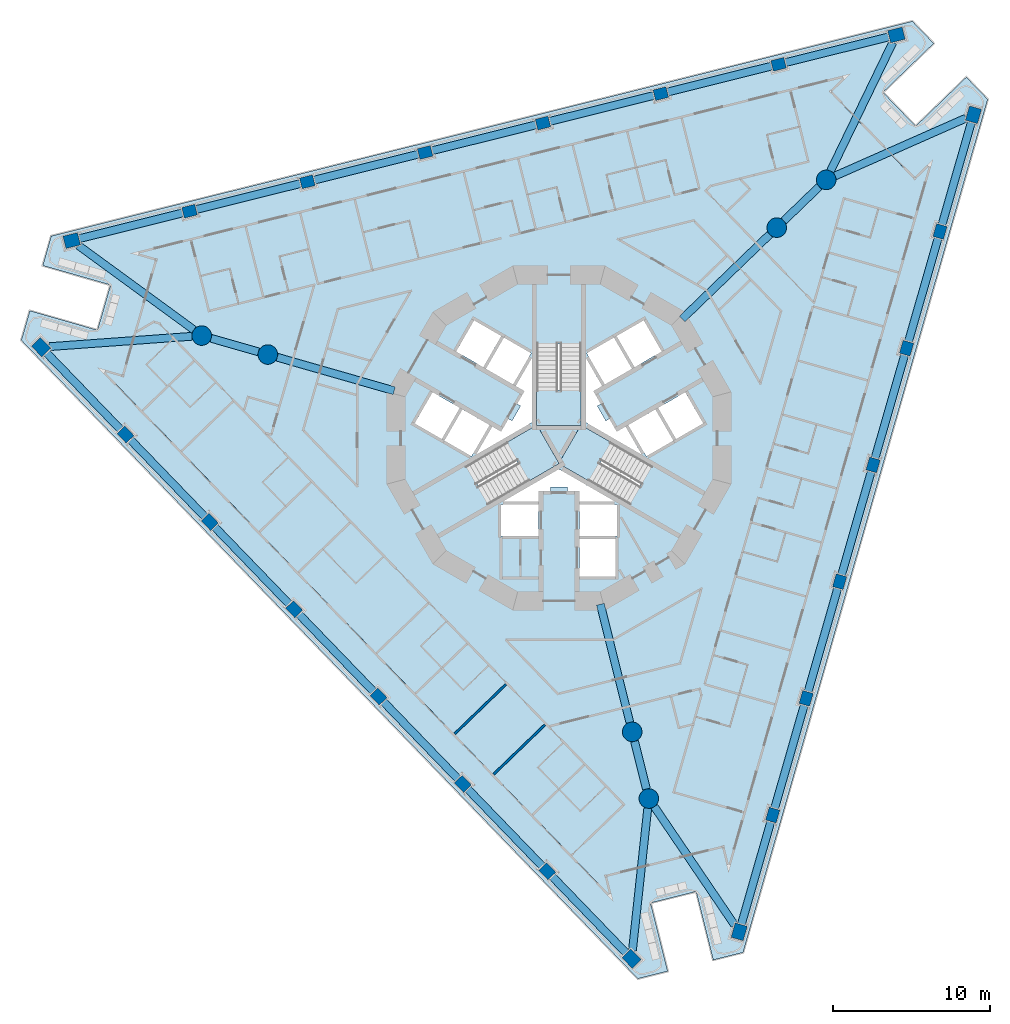
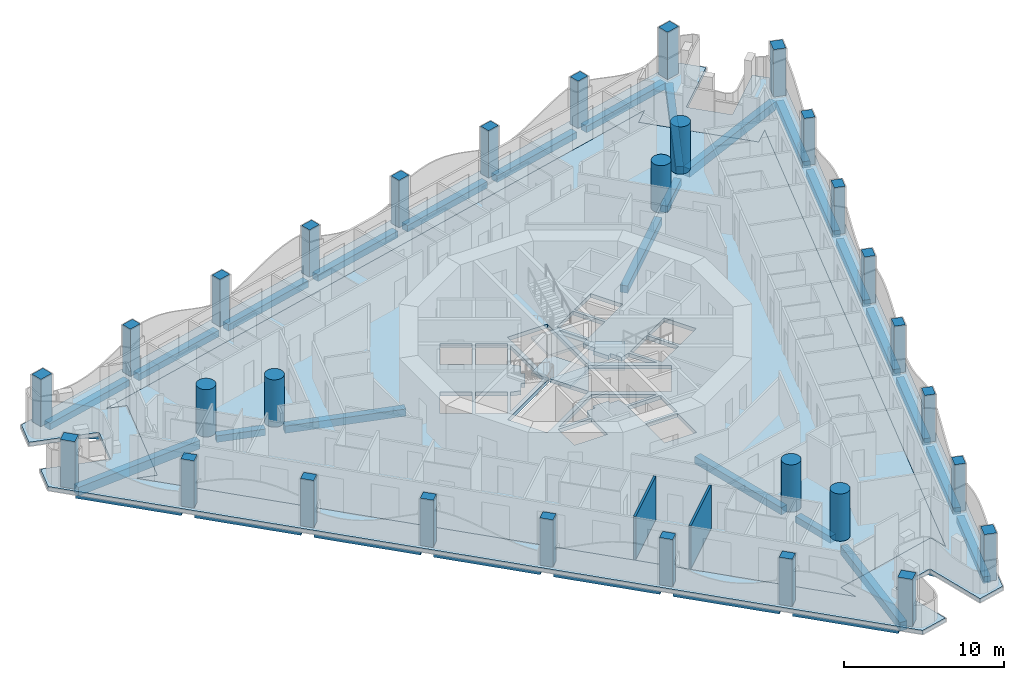
# One storey, part 1 of 20: 33 beams, 30 columns, 6 slabs, 2 walls, 3 elements without a shape of their own.
"""IFC4 building model written with IfcOpenShell, lengths in metres."""

from ifc_helpers import new_model, si_unit, direction, frame, frame_2d, origin, origin_2d, place, context, subcontext, project, spatial, polyline, rectangle, circle, outline, extrude, material, layer, layer_set, material_profile, profile_set, type_object, element, aggregate, save


model = new_model("IFC4")

# Units and contexts
model_context = context("Model", 3, precision=1e-05, world=origin(), true_north=direction((0.0, 1.0)))
body_context = subcontext(model_context, "Body", "Model", "MODEL_VIEW")
ifc_project = project(units=[si_unit("LENGTHUNIT", "METRE"), si_unit("AREAUNIT", "SQUARE_METRE"), si_unit("VOLUMEUNIT", "CUBIC_METRE"), si_unit("PLANEANGLEUNIT", "RADIAN"), si_unit("MASSUNIT", "GRAM", prefix="KILO")], contexts=[model_context])

# Site, building, storey
site_placement = place(None, origin())
site = spatial("IfcSite", under=ifc_project, at=site_placement, CompositionType="ELEMENT")
building_placement = place(site_placement, origin())
building = spatial("IfcBuilding", under=site, at=building_placement, Name="Trine Commons Tower", CompositionType="ELEMENT")
storey_placement = place(building_placement, frame((0.0, 0.0, 101.699951171875)))
storey = spatial("IfcBuildingStorey", under=building, at=storey_placement, Name="L25", CompositionType="ELEMENT", Elevation=101.699951171875)

# Columns
ifc_material_1 = material(Name="Concrete C70/85", Category="concrete")
ifc_material_profile_1 = material_profile(ifc_material_1, rectangle(XDim=0.85009765625, YDim=0.699951171875, at=origin_2d()), Name="RC 850x700")
ifc_profile_set_1 = profile_set([ifc_material_profile_1], Name="Concrete C70/85")
column_type_1 = type_object("IfcColumnType", Name="RC column 850x700, C70/85", PredefinedType="COLUMN", material=ifc_profile_set_1)
for number, where, z_axis, x_axis, name in (
    (1, (79.251708984375, 34.81640625, 0.0), (0.0, 0.0, 1.0), (-0.694658370459, 0.719339800339, 0.0), "Column PC3-02 L25"),
    (2, (73.86279296875, 40.396728515625, 0.0), (0.0, 0.0, 1.0), (-0.694658370459, 0.719339800339, 0.0), "Column PC3-03 L25"),
    (3, (68.473876953125, 45.977294921875, 0.0), (0.0, 0.0, 1.0), (-0.694658370459, 0.719339800339, 0.0), "Column PC3-04 L25"),
    (4, (63.0849609375, 51.5576171875, 0.0), (0.0, 0.0, 1.0), (-0.694658370459, 0.719339800339, 0.0), "Column PC3-05 L25"),
    (5, (57.696044921875, 57.137939453125, 0.0), (0.0, 0.0, 1.0), (-0.694658370459, 0.719339800339, 0.0), "Column PC3-06 L25"),
    (6, (52.30712890625, 62.71826171875, 0.0), (0.0, 0.0, 1.0), (-0.694658370459, 0.719339800339, 0.0), "Column PC3-07 L25"),
    (7, (56.3994140625, 76.98974609375, 0.0), (0.0, 0.0, 1.0), (0.970295726276, 0.2419218956, 0.0), "Column PC3-10 L25"),
    (8, (63.926513671875, 78.86669921875, 0.0), (0.0, 0.0, 1.0), (0.970295726276, 0.2419218956, 0.0), "Column PC3-11 L25"),
    (9, (71.453857421875, 80.743408203125, 0.0), (0.0, 0.0, 1.0), (0.970295726276, 0.2419218956, 0.0), "Column PC3-12 L25"),
    (10, (78.981201171875, 82.6201171875, 0.0), (0.0, 0.0, 1.0), (0.970295726276, 0.2419218956, 0.0), "Column PC3-13 L25"),
    (11, (86.50830078125, 84.496826171875, 0.0), (0.0, 0.0, 1.0), (0.970295726276, 0.2419218956, 0.0), "Column PC3-14 L25"),
    (12, (94.035400390625, 86.37353515625, 0.0), (0.0, 0.0, 1.0), (0.970295726276, 0.2419218956, 0.0), "Column PC3-15 L25"),
    (13, (104.348876953125, 75.69384765625, 0.0), (0.0, 0.0, 1.0), (0.275637355817, 0.961261695938, 0.0), "Column PC3-18 L25"),
    (14, (102.210693359375, 68.23681640625, 0.0), (0.0, 0.0, 1.0), (0.275637355817, 0.961261695938, 0.0), "Column PC3-19 L25"),
    (15, (100.072265625, 60.779541015625, 0.0), (0.0, 0.0, 1.0), (0.275637355817, 0.961261695938, 0.0), "Column PC3-20 L25"),
    (16, (97.93408203125, 53.322509765625, 0.0), (0.0, 0.0, 1.0), (0.275637355817, 0.961261695938, 0.0), "Column PC3-21 L25"),
    (17, (95.795654296875, 45.865234375, 0.0), (0.0, 0.0, 1.0), (0.275637355817, 0.961261695938, 0.0), "Column PC3-22 L25"),
    (18, (93.657470703125, 38.408203125, 0.0), (0.0, 0.0, 1.0), (0.275637355817, 0.961261695938, 0.0), "Column PC3-23 L25"),
):
    element("IfcColumn", number, at=place(storey_placement, frame(where, z_axis=z_axis, x_axis=x_axis)), inside=storey, type_object=column_type_1, Name=name, PredefinedType="COLUMN", context=body_context, shape_type="SweptSolid", body=[
        extrude(rectangle(XDim=0.85009765625, YDim=0.699951171875, at=origin_2d()), origin(), (0.0, 0.0, 1.0), 3.60009765625),
    ])
ifc_material_profile_2 = material_profile(ifc_material_1, rectangle(XDim=0.949951171875, YDim=0.800048828125, at=origin_2d()), Name="RC 950x800")
ifc_profile_set_2 = profile_set([ifc_material_profile_2], Name="Concrete C70/85")
column_type_2 = type_object("IfcColumnType", Name="RC column 950x800, C70/85", PredefinedType="COLUMN", material=ifc_profile_set_2)
for number, where, z_axis, x_axis, name in (
    (19, (84.640625, 29.236083984375, 0.0), (0.0, 0.0, 1.0), (-0.694658370459, 0.719339800339, 0.0), "Column PC3-01 L25"),
    (20, (46.918212890625, 68.298583984375, 0.0), (0.0, 0.0, 1.0), (-0.694658370459, 0.719339800339, 0.0), "Column PC3-08 L25"),
    (21, (48.872314453125, 75.113037109375, 0.0), (0.0, 0.0, 1.0), (0.970295726276, 0.2419218956, 0.0), "Column PC3-09 L25"),
    (22, (101.562744140625, 88.250244140625, 0.0), (0.0, 0.0, 1.0), (0.970295726276, 0.2419218956, 0.0), "Column PC3-16 L25"),
    (23, (106.4873046875, 83.15087890625, 0.0), (0.0, 0.0, 1.0), (0.275637355817, 0.961261695938, 0.0), "Column PC3-17 L25"),
    (24, (91.51904296875, 30.950927734375, 0.0), (0.0, 0.0, 1.0), (0.275637355817, 0.961261695938, 0.0), "Column PC3-24 L25"),
):
    element("IfcColumn", number, at=place(storey_placement, frame(where, z_axis=z_axis, x_axis=x_axis)), inside=storey, type_object=column_type_2, Name=name, PredefinedType="COLUMN", context=body_context, shape_type="SweptSolid", body=[
        extrude(rectangle(XDim=0.949951171875, YDim=0.800048828125, at=origin_2d()), origin(), (0.0, 0.0, 1.0), 3.60009765625),
    ])
ifc_material_profile_3 = material_profile(ifc_material_1, circle(Radius=0.625, at=origin_2d()), Name="RC round 1250")
ifc_profile_set_3 = profile_set([ifc_material_profile_3], Name="Concrete C70/85")
column_type_3 = type_object("IfcColumnType", Name="RC round column 1250 mm, C70/85", PredefinedType="COLUMN", material=ifc_profile_set_3)
for number, where, z_axis, x_axis, name in (
    (25, (84.6806640625, 43.726806640625, 0.0), (0.0, 0.0, 1.0), (1.0, 0.0, 0.0), "Column WC3-1 L25"),
    (26, (85.742919921875, 39.4658203125, 0.0), (0.0, 0.0, 1.0), (1.0, 0.0, 0.0), "Column WC3-2 L25"),
    (27, (93.917724609375, 75.940185546875, 0.0), (0.0, 0.0, 1.0), (1.0, 0.0, 0.0), "Column WC3-3 L25"),
    (28, (97.07666015625, 78.99072265625, 0.0), (0.0, 0.0, 1.0), (1.0, 0.0, 0.0), "Column WC3-4 L25"),
    (29, (61.401611328125, 67.8330078125, 0.0), (0.0, 0.0, 1.0), (1.0, 0.0, 0.0), "Column WC3-5 L25"),
    (30, (57.180419921875, 69.04345703125, 0.0), (0.0, 0.0, 1.0), (1.0, 0.0, 0.0), "Column WC3-6 L25"),
):
    element("IfcColumn", number, at=place(storey_placement, frame(where, z_axis=z_axis, x_axis=x_axis)), inside=storey, type_object=column_type_3, Name=name, PredefinedType="COLUMN", context=body_context, shape_type="SweptSolid", body=[
        extrude(circle(Radius=0.625, at=origin_2d()), origin(), (0.0, 0.0, 1.0), 3.60009765625),
    ])

# Beams
ifc_material_2 = material(Name="Concrete C50/60", Category="concrete")
ifc_material_profile_4 = material_profile(ifc_material_2, rectangle(XDim=0.5, YDim=0.5, at=origin_2d()), Name="RC 500x500")
ifc_profile_set_4 = profile_set([ifc_material_profile_4], Name="Concrete C50/60")
beam_type_1 = type_object("IfcBeamType", Name="RC beam 500x500, C50/60", PredefinedType="BEAM", material=ifc_profile_set_4)
beam_1_placement = place(storey_placement, frame((84.310791015625, 29.57763671875, -0.550048828125), z_axis=(-0.694663760793, 0.719334594915, 0.0), x_axis=(-0.719334594915, -0.694663760793, 0.0)))
element("IfcBeam", 31, at=beam_1_placement, inside=storey, type_object=beam_type_1, Name="Beam EB3-01 L25", PredefinedType="BEAM", context=body_context, shape_type="SweptSolid", body=[
    extrude(rectangle(XDim=0.5, YDim=0.5, at=origin_2d()), origin(), (0.0, 0.0, 1.0), 6.85791015625),
])
for number, where, z_axis, x_axis, name in (
    (32, (78.95654296875, 35.1220703125, -0.550048828125), (-0.694664521959, 0.719333859854, 0.0), (-0.719333859854, -0.694664521959, 0.0), "Beam EB3-02 L25"),
    (33, (73.567626953125, 40.702392578125, -0.550048828125), (-0.694664521959, 0.719333859854, 0.0), (-0.719333859854, -0.694664521959, 0.0), "Beam EB3-03 L25"),
    (34, (68.1787109375, 46.282958984375, -0.550048828125), (-0.694664521959, 0.719333859854, 0.0), (-0.719333859854, -0.694664521959, 0.0), "Beam EB3-04 L25"),
    (35, (62.789794921875, 51.86328125, -0.550048828125), (-0.694664521959, 0.719333859854, 0.0), (-0.719333859854, -0.694664521959, 0.0), "Beam EB3-05 L25"),
    (36, (57.40087890625, 57.443603515625, -0.550048828125), (-0.694664521959, 0.719333859854, 0.0), (-0.719333859854, -0.694664521959, 0.0), "Beam EB3-06 L25"),
):
    element("IfcBeam", number, at=place(storey_placement, frame(where, z_axis=z_axis, x_axis=x_axis)), inside=storey, type_object=beam_type_1, Name=name, PredefinedType="BEAM", context=body_context, shape_type="SweptSolid", body=[
        extrude(rectangle(XDim=0.5, YDim=0.5, at=origin_2d()), origin(), (0.0, 0.0, 1.0), 6.90771484375),
    ])
for number, where, z_axis, x_axis, name in (
    (37, (52.011962890625, 63.02392578125, -0.550048828125), (-0.694645339139, 0.71935238431, 0.0), (-0.71935238431, -0.694645339139, 0.0), "Beam EB3-07 L25"),
    (38, (49.3330078125, 75.22802734375, -0.550048828125), (0.970299359004, 0.241907325057, 0.0), (-0.241907325057, 0.970299359004, 0.0), "Beam EB3-08 L25"),
):
    element("IfcBeam", number, at=place(storey_placement, frame(where, z_axis=z_axis, x_axis=x_axis)), inside=storey, type_object=beam_type_1, Name=name, PredefinedType="BEAM", context=body_context, shape_type="SweptSolid", body=[
        extrude(rectangle(XDim=0.5, YDim=0.5, at=origin_2d()), origin(), (0.0, 0.0, 1.0), 6.857666015625),
    ])
beam_2_placement = place(storey_placement, frame((56.811767578125, 77.092529296875, -0.550048828125), z_axis=(0.970285783578, 0.241961770093, 0.0), x_axis=(-0.241961770093, 0.970285783578, 0.0)))
element("IfcBeam", 39, at=beam_2_placement, inside=storey, type_object=beam_type_1, Name="Beam EB3-09 L25", PredefinedType="BEAM", context=body_context, shape_type="SweptSolid", body=[
    extrude(rectangle(XDim=0.5, YDim=0.5, at=origin_2d()), origin(), (0.0, 0.0, 1.0), 6.90771484375),
])
for number, where, z_axis, x_axis, name in (
    (40, (64.339111328125, 78.969482421875, -0.550048828125), (0.970302376924, 0.241895219745, 0.0), (-0.241895219745, 0.970302376924, 0.0), "Beam EB3-10 L25"),
    (41, (71.8662109375, 80.84619140625, -0.550048828125), (0.970294080751, 0.241928495346, 0.0), (-0.241928495346, 0.970294080751, 0.0), "Beam EB3-11 L25"),
    (42, (79.3935546875, 82.722900390625, -0.550048828125), (0.970294080751, 0.241928495346, 0.0), (-0.241928495346, 0.970294080751, 0.0), "Beam EB3-12 L25"),
    (43, (86.920654296875, 84.599609375, -0.550048828125), (0.970294080751, 0.241928495346, 0.0), (-0.241928495346, 0.970294080751, 0.0), "Beam EB3-13 L25"),
):
    element("IfcBeam", number, at=place(storey_placement, frame(where, z_axis=z_axis, x_axis=x_axis)), inside=storey, type_object=beam_type_1, Name=name, PredefinedType="BEAM", context=body_context, shape_type="SweptSolid", body=[
        extrude(rectangle(XDim=0.5, YDim=0.5, at=origin_2d()), origin(), (0.0, 0.0, 1.0), 6.907470703125),
    ])
for number, where, z_axis, x_axis, name in (
    (44, (94.447998046875, 86.476318359375, -0.550048828125), (0.970288918196, 0.241949199679, 0.0), (-0.241949199679, 0.970288918196, 0.0), "Beam EB3-14 L25"),
    (45, (106.356201171875, 82.6943359375, -0.550048828125), (-0.275623797229, -0.961265583697, 0.0), (0.961265583697, -0.275623797229, 0.0), "Beam EB3-15 L25"),
):
    element("IfcBeam", number, at=place(storey_placement, frame(where, z_axis=z_axis, x_axis=x_axis)), inside=storey, type_object=beam_type_1, Name=name, PredefinedType="BEAM", context=body_context, shape_type="SweptSolid", body=[
        extrude(rectangle(XDim=0.5, YDim=0.5, at=origin_2d()), origin(), (0.0, 0.0, 1.0), 6.857666015625),
    ])
for number, where, z_axis, x_axis, name in (
    (46, (104.231689453125, 75.285400390625, -0.550048828125), (-0.275640588881, -0.961260768866, 0.0), (0.961260768866, -0.275640588881, 0.0), "Beam EB3-16 L25"),
    (47, (102.093505859375, 67.828125, -0.550048828125), (-0.275640588881, -0.961260768866, 0.0), (0.961260768866, -0.275640588881, 0.0), "Beam EB3-17 L25"),
    (48, (99.955078125, 60.37109375, -0.550048828125), (-0.275640588881, -0.961260768866, 0.0), (0.961260768866, -0.275640588881, 0.0), "Beam EB3-18 L25"),
    (49, (97.81689453125, 52.913818359375, -0.550048828125), (-0.275640588881, -0.961260768866, 0.0), (0.961260768866, -0.275640588881, 0.0), "Beam EB3-19 L25"),
    (50, (95.6787109375, 45.456787109375, -0.550048828125), (-0.275673246186, -0.961251403816, 0.0), (0.961251403816, -0.275673246186, 0.0), "Beam EB3-20 L25"),
):
    element("IfcBeam", number, at=place(storey_placement, frame(where, z_axis=z_axis, x_axis=x_axis)), inside=storey, type_object=beam_type_1, Name=name, PredefinedType="BEAM", context=body_context, shape_type="SweptSolid", body=[
        extrude(rectangle(XDim=0.5, YDim=0.5, at=origin_2d()), origin(), (0.0, 0.0, 1.0), 6.90771484375),
    ])
beam_3_placement = place(storey_placement, frame((93.540283203125, 37.99951171875, -0.550048828125), z_axis=(-0.275666126975, -0.961253445476, 0.0), x_axis=(0.961253445476, -0.275666126975, 0.0)))
element("IfcBeam", 51, at=beam_3_placement, inside=storey, type_object=beam_type_1, Name="Beam EB3-21 L25", PredefinedType="BEAM", context=body_context, shape_type="SweptSolid", body=[
    extrude(rectangle(XDim=0.5, YDim=0.5, at=origin_2d()), origin(), (0.0, 0.0, 1.0), 6.857421875),
])
beam_4_placement = place(storey_placement, frame((84.831787109375, 43.12109375, -0.550048828125), z_axis=(0.241895853777, -0.97030221886, 0.0), x_axis=(0.97030221886, 0.241895853777, 0.0)))
element("IfcBeam", 52, at=beam_4_placement, inside=storey, type_object=beam_type_1, Name="Beam RB3-02 L25", PredefinedType="BEAM", context=body_context, shape_type="SweptSolid", body=[
    extrude(rectangle(XDim=0.5, YDim=0.5, at=origin_2d()), origin(), (0.0, 0.0, 1.0), 3.142822265625),
])
beam_5_placement = place(storey_placement, frame((94.366943359375, 76.3740234375, -0.550048828125), z_axis=(0.719314434863, 0.694684636218, 0.0), x_axis=(-0.694684636218, 0.719314434863, 0.0)))
element("IfcBeam", 53, at=beam_5_placement, inside=storey, type_object=beam_type_1, Name="Beam RB3-04 L25", PredefinedType="BEAM", context=body_context, shape_type="SweptSolid", body=[
    extrude(rectangle(XDim=0.5, YDim=0.5, at=origin_2d()), origin(), (0.0, 0.0, 1.0), 3.142333984375),
])
beam_6_placement = place(storey_placement, frame((60.80126953125, 68.005126953125, -0.550048828125), z_axis=(-0.961274333375, 0.275593280026, 0.0), x_axis=(-0.275593280026, -0.961274333375, 0.0)))
element("IfcBeam", 54, at=beam_6_placement, inside=storey, type_object=beam_type_1, Name="Beam RB3-06 L25", PredefinedType="BEAM", context=body_context, shape_type="SweptSolid", body=[
    extrude(rectangle(XDim=0.5, YDim=0.5, at=origin_2d()), origin(), (0.0, 0.0, 1.0), 3.14208984375),
])
ifc_material_profile_5 = material_profile(ifc_material_2, rectangle(XDim=0.5, YDim=0.550048828125, at=origin_2d()), Name="RC 500x550")
ifc_profile_set_5 = profile_set([ifc_material_profile_5], Name="Concrete C50/60")
beam_type_2 = type_object("IfcBeamType", Name="RC beam 500x550, C50/60", PredefinedType="BEAM", material=ifc_profile_set_5)
beam_7_placement = place(storey_placement, frame((82.648681640625, 51.876708984375, -0.574951171875), z_axis=(0.241937131507, -0.970291927411, 0.0), x_axis=(0.970291927411, 0.241937131507, 0.0)))
element("IfcBeam", 55, at=beam_7_placement, inside=storey, type_object=beam_type_2, Name="Beam RB3-01 L25", PredefinedType="BEAM", context=body_context, shape_type="SweptSolid", body=[
    extrude(rectangle(XDim=0.5, YDim=0.550048828125, at=origin_2d()), origin(), (0.0, 0.0, 1.0), 7.775146484375),
])
beam_8_placement = place(storey_placement, frame((87.875732421875, 70.105712890625, -0.574951171875), z_axis=(0.719355467287, 0.694642146493, 0.0), x_axis=(-0.694642146493, 0.719355467287, 0.0)))
element("IfcBeam", 56, at=beam_8_placement, inside=storey, type_object=beam_type_2, Name="Beam RB3-03 L25", PredefinedType="BEAM", context=body_context, shape_type="SweptSolid", body=[
    extrude(rectangle(XDim=0.5, YDim=0.550048828125, at=origin_2d()), origin(), (0.0, 0.0, 1.0), 7.774658203125),
])
beam_9_placement = place(storey_placement, frame((69.4755859375, 65.517822265625, -0.574951171875), z_axis=(-0.961260445822, 0.275641715452, 0.0), x_axis=(-0.275641715452, -0.961260445822, 0.0)))
element("IfcBeam", 57, at=beam_9_placement, inside=storey, type_object=beam_type_2, Name="Beam RB3-05 L25", PredefinedType="BEAM", context=body_context, shape_type="SweptSolid", body=[
    extrude(rectangle(XDim=0.5, YDim=0.550048828125, at=origin_2d()), origin(), (0.0, 0.0, 1.0), 7.77490234375),
])
ifc_material_profile_6 = material_profile(ifc_material_2, rectangle(XDim=0.5, YDim=0.64990234375, at=origin_2d()), Name="RC 500x650")
ifc_profile_set_6 = profile_set([ifc_material_profile_6], Name="Concrete C50/60")
beam_type_3 = type_object("IfcBeamType", Name="RC beam 500x650, C50/60", PredefinedType="BEAM", material=ifc_profile_set_6)
for number, where, z_axis, x_axis, name in (
    (58, (47.437744140625, 68.33642578125, -0.625), (0.997376868149, 0.07238358157, 0.0), (-0.07238358157, 0.997376868149, 0.0), "Beam CB3-01 L25"),
    (59, (49.29296875, 74.8056640625, -0.625), (0.807466452888, -0.589913491506, 0.0), (0.589913491506, 0.807466452888, 0.0), "Beam CB3-02 L25"),
    (60, (101.33544921875, 87.781494140625, -0.625), (-0.435985897384, -0.899953497289, 0.0), (0.899953497289, -0.435985897384, 0.0), "Beam CB3-03 L25"),
    (61, (106.0107421875, 82.940185546875, -0.625), (-0.914616807383, -0.404321772419, 0.0), (0.404321772419, -0.914616807383, 0.0), "Beam CB3-04 L25"),
):
    element("IfcBeam", number, at=place(storey_placement, frame(where, z_axis=z_axis, x_axis=x_axis)), inside=storey, type_object=beam_type_3, Name=name, PredefinedType="BEAM", context=body_context, shape_type="SweptSolid", body=[
        extrude(rectangle(XDim=0.5, YDim=0.64990234375, at=origin_2d()), origin(), (0.0, 0.0, 1.0), 9.143798828125),
    ])
beam_10_placement = place(storey_placement, frame((91.2265625, 31.382080078125, -0.625), z_axis=(-0.561374083617, 0.827562165788, 0.0), x_axis=(-0.827562165788, -0.561374083617, 0.0)))
element("IfcBeam", 62, at=beam_10_placement, inside=storey, type_object=beam_type_3, Name="Beam CB3-05 L25", PredefinedType="BEAM", context=body_context, shape_type="SweptSolid", body=[
    extrude(rectangle(XDim=0.5, YDim=0.64990234375, at=origin_2d()), origin(), (0.0, 0.0, 1.0), 9.143310546875),
])
beam_11_placement = place(storey_placement, frame((84.696533203125, 29.75390625, -0.625), z_axis=(0.107125177559, 0.994245541269, 0.0), x_axis=(-0.994245541269, 0.107125177559, 0.0)))
element("IfcBeam", 63, at=beam_11_placement, inside=storey, type_object=beam_type_3, Name="Beam CB3-06 L25", PredefinedType="BEAM", context=body_context, shape_type="SweptSolid", body=[
    extrude(rectangle(XDim=0.5, YDim=0.64990234375, at=origin_2d()), origin(), (0.0, 0.0, 1.0), 9.1435546875),
])

# Slabs
ifc_layer_1 = layer(ifc_material_2, 0.300048828125)
ifc_layer_set_1 = layer_set([ifc_layer_1], Name="Concrete C50/60")
slab_type_1 = type_object("IfcSlabType", Name="Loggia slab 300 mm, C50/60", PredefinedType="FLOOR", material=ifc_layer_set_1)
slab_1_placement = place(storey_placement, frame((0.0, 0.0, -0.300048828125)))
element("IfcSlab", 64, at=slab_1_placement, inside=storey, type_object=slab_type_1, Name="Loggia slab L25", PredefinedType="FLOOR", context=body_context, shape_type="SweptSolid", body=[
    extrude(outline(polyline([(91.764892578125, 29.632080078125), (107.394775390625, 84.13916015625), (106.0302734375, 85.552001953125), (102.793212890625, 82.426025390625), (100.709228515625, 84.583984375), (103.9462890625, 87.7099609375), (102.581787109375, 89.122802734375), (47.562744140625, 75.405029296875), (47.021240234375, 73.516845703125), (51.346923828125, 72.276611328125), (50.52001953125, 69.392822265625), (46.1943359375, 70.63330078125), (45.653076171875, 68.7451171875), (85.04248046875, 27.9560546875), (86.948486328125, 28.43115234375), (85.85986328125, 32.797607421875), (88.7705078125, 33.523193359375), (89.859375, 29.156982421875), (91.764892578125, 29.632080078125)]), holes=[polyline([(83.27587890625, 33.240478515625), (82.950439453125, 34.545654296875), (90.518798828125, 36.4326171875), (90.843994140625, 35.12744140625), (103.701416015625, 79.966796875), (102.73388671875, 79.032470703125), (97.315673828125, 84.643310546875), (98.283203125, 85.577392578125), (53.022705078125, 74.292724609375), (54.3154296875, 73.922119140625), (52.16552734375, 66.42431640625), (50.872802734375, 66.794921875), (83.27587890625, 33.240478515625)])]), origin(), (0.0, 0.0, 1.0), 0.300048828125),
])
ifc_layer_2 = layer(ifc_material_2, 0.300048828125)
ifc_layer_set_2 = layer_set([ifc_layer_2], Name="Concrete C50/60")
slab_type_2 = type_object("IfcSlabType", Name="PT flat slab 300 mm, C50/60", PredefinedType="FLOOR", material=ifc_layer_set_2)
slab_2_placement = place(storey_placement, frame((0.0, 0.0, -0.300048828125)))
element("IfcSlab", 65, at=slab_2_placement, inside=storey, type_object=slab_type_2, Name="Floor slab L25", PredefinedType="FLOOR", context=body_context, shape_type="SweptSolid", body=[
    extrude(outline(polyline([(50.872802734375, 66.794921875), (83.27587890625, 33.240478515625), (82.950439453125, 34.545654296875), (90.518798828125, 36.4326171875), (90.843994140625, 35.12744140625), (103.701416015625, 79.966796875), (102.73388671875, 79.032470703125), (97.315673828125, 84.643310546875), (98.283203125, 85.577392578125), (53.022705078125, 74.292724609375), (54.3154296875, 73.922119140625), (52.16552734375, 66.42431640625), (50.872802734375, 66.794921875)]), holes=[polyline([(76.300048828125, 56.25), (78.699951171875, 56.25), (78.699951171875, 58.25), (76.300048828125, 58.25), (76.300048828125, 56.25)]), polyline([(81.14990234375, 59.10009765625), (81.300048828125, 58.449951171875), (83.56494140625, 58.449951171875), (80.0, 60.508056640625), (76.43505859375, 58.449951171875), (78.699951171875, 58.449951171875), (78.85009765625, 59.10009765625), (79.449951171875, 59.10009765625), (79.449951171875, 59.360107421875), (80.550048828125, 59.360107421875), (80.550048828125, 59.10009765625), (81.14990234375, 59.10009765625)]), polyline([(80.0, 60.8544921875), (84.4755859375, 58.2705078125), (85.900390625, 60.73876953125), (81.425048828125, 63.32275390625), (81.425048828125, 68.490478515625), (78.574951171875, 68.490478515625), (78.574951171875, 63.32275390625), (74.099609375, 60.73876953125), (75.5244140625, 58.2705078125), (80.0, 60.8544921875)]), polyline([(73.83740234375, 64.325927734375), (72.687255859375, 62.333984375), (74.41943359375, 61.333984375), (75.5693359375, 63.325927734375), (73.83740234375, 64.325927734375)]), polyline([(71.93212890625, 65.426025390625), (70.781982421875, 63.43408203125), (72.51416015625, 62.43408203125), (73.6640625, 64.426025390625), (71.93212890625, 65.426025390625)]), polyline([(76.781005859375, 63.722900390625), (76.381103515625, 63.031005859375), (75.742919921875, 63.22607421875), (74.7099609375, 61.43798828125), (78.27490234375, 63.49609375), (78.27490234375, 67.612060546875), (77.242919921875, 65.823974609375), (77.73095703125, 65.368896484375), (77.3310546875, 64.676025390625), (77.555908203125, 64.5458984375), (77.006103515625, 63.593994140625), (76.781005859375, 63.722900390625)]), polyline([(76.4873046875, 68.916015625), (75.33740234375, 66.924072265625), (77.0693359375, 65.924072265625), (78.219482421875, 67.916015625), (76.4873046875, 68.916015625)]), polyline([(74.58203125, 70.015869140625), (73.43212890625, 68.02392578125), (75.1640625, 67.02392578125), (76.314208984375, 69.015869140625), (74.58203125, 70.015869140625)]), polyline([(81.300048828125, 53.64990234375), (83.60009765625, 53.64990234375), (83.60009765625, 56.050048828125), (81.300048828125, 56.050048828125), (81.300048828125, 53.64990234375)]), polyline([(81.300048828125, 56.25), (83.699951171875, 56.25), (83.699951171875, 58.25), (81.300048828125, 58.25), (81.300048828125, 56.25)]), polyline([(87.312744140625, 62.333984375), (86.16259765625, 64.325927734375), (84.4306640625, 63.325927734375), (85.58056640625, 61.333984375), (87.312744140625, 62.333984375)]), polyline([(89.218017578125, 63.43408203125), (88.06787109375, 65.426025390625), (86.3359375, 64.426025390625), (87.48583984375, 62.43408203125), (89.218017578125, 63.43408203125)]), polyline([(83.243896484375, 63.738037109375), (82.993896484375, 63.593994140625), (82.444091796875, 64.5458984375), (82.72705078125, 64.7099609375), (82.281005859375, 65.549072265625), (82.757080078125, 65.823974609375), (81.72509765625, 67.612060546875), (81.72509765625, 63.49609375), (85.2900390625, 61.43798828125), (84.257080078125, 63.22607421875), (83.618896484375, 63.031005859375), (83.243896484375, 63.738037109375)]), polyline([(82.9306640625, 65.924072265625), (84.66259765625, 66.924072265625), (83.5126953125, 68.916015625), (81.780517578125, 67.916015625), (82.9306640625, 65.924072265625)]), polyline([(84.8359375, 67.02392578125), (86.56787109375, 68.02392578125), (85.41796875, 70.015869140625), (83.685791015625, 69.015869140625), (84.8359375, 67.02392578125)])]), origin(), (0.0, 0.0, 1.0), 0.300048828125),
])
slab_3_placement = place(storey_placement, frame((0.0, 0.0, -0.300048828125)))
element("IfcSlab", 66, at=slab_3_placement, inside=storey, type_object=slab_type_2, Name="Floor slab L25 2", PredefinedType="FLOOR", context=body_context, shape_type="SweptSolid", body=[
    extrude(outline(polyline([(78.61328125, 63.300537109375), (80.0, 60.89892578125), (81.38671875, 63.300537109375), (78.61328125, 63.300537109375)])), origin(), (0.0, 0.0, 1.0), 0.300048828125),
])

# Stair, slab
stair_type = type_object("IfcStairType", Name="Exit stair, dog-leg, 24 risers of 150 mm", PredefinedType="HALF_TURN_STAIR", material=ifc_material_2)
stair_1_placement = place(storey_placement, origin())
stair_1 = element("IfcStair", 67, at=stair_1_placement, inside=storey, type_object=stair_type, Name="L25 Exit stair ST1A", PredefinedType="HALF_TURN_STAIR")
ifc_layer_3 = layer(ifc_material_2, 0.199951171875)
ifc_layer_set_3 = layer_set([ifc_layer_3], Name="Concrete C50/60")
slab_type_3 = type_object("IfcSlabType", Name="Stair landing slab 200 mm, C50/60", PredefinedType="LANDING", material=ifc_layer_set_3)
slab_4_placement = place(storey_placement, frame((0.0, 0.0, 1.60009765625)))
slab_4 = element("IfcSlab", 68, at=slab_4_placement, type_object=slab_type_3, Name="ST1A landing 1", PredefinedType="LANDING", context=body_context, shape_type="SweptSolid", body=[
    extrude(outline(polyline([(78.574951171875, 65.570556640625), (78.574951171875, 63.300537109375), (81.425048828125, 63.300537109375), (81.425048828125, 65.570556640625), (78.574951171875, 65.570556640625)])), origin(), (0.0, 0.0, 1.0), 0.199951171875),
])
aggregate(stair_1, [slab_4])

stair_2_placement = place(storey_placement, origin())
stair_2 = element("IfcStair", 69, at=stair_2_placement, inside=storey, type_object=stair_type, Name="L25 Exit stair ST2A", PredefinedType="HALF_TURN_STAIR")
slab_5_placement = place(storey_placement, frame((0.0, 0.0, 1.60009765625)))
slab_5 = element("IfcSlab", 70, at=slab_5_placement, type_object=slab_type_3, Name="ST2A landing 1", PredefinedType="LANDING", context=body_context, shape_type="SweptSolid", body=[
    extrude(outline(polyline([(78.05322265625, 59.730712890625), (80.019287109375, 60.86572265625), (78.59423828125, 63.333740234375), (76.628173828125, 62.19873046875), (78.05322265625, 59.730712890625)])), origin(), (0.0, 0.0, 1.0), 0.199951171875),
])
aggregate(stair_2, [slab_5])

stair_3_placement = place(storey_placement, origin())
stair_3 = element("IfcStair", 71, at=stair_3_placement, inside=storey, type_object=stair_type, Name="L25 Exit stair ST3A", PredefinedType="HALF_TURN_STAIR")
slab_6_placement = place(storey_placement, frame((0.0, 0.0, 1.60009765625)))
slab_6 = element("IfcSlab", 72, at=slab_6_placement, type_object=slab_type_3, Name="ST3A landing 1", PredefinedType="LANDING", context=body_context, shape_type="SweptSolid", body=[
    extrude(outline(polyline([(83.371826171875, 62.19873046875), (81.40576171875, 63.333740234375), (79.980712890625, 60.86572265625), (81.94677734375, 59.730712890625), (83.371826171875, 62.19873046875)])), origin(), (0.0, 0.0, 1.0), 0.199951171875),
])
aggregate(stair_3, [slab_6])

# Walls
ifc_material_3 = material(Name="Gypsum plasterboard on steel stud", Category="steel")
ifc_layer_4 = layer(ifc_material_3, 0.14990234375)
ifc_layer_set_4 = layer_set([ifc_layer_4], Name="Gypsum plasterboard on steel stud")
wall_type = type_object("IfcWallType", Name="Unit and corridor wall 150 mm, EI 60", PredefinedType="PARTITIONING", material=ifc_layer_set_4)
wall_1_placement = place(storey_placement, frame((73.334716796875, 43.5927734375, 0.0), z_axis=(0.0, 0.0, 1.0), x_axis=(0.719252426756, 0.694748837067, 0.0)))
element("IfcWall", 73, at=wall_1_placement, inside=storey, type_object=wall_type, Name="Partition 054", PredefinedType="PARTITIONING", context=body_context, shape_type="SweptSolid", body=[
    extrude(rectangle(XDim=4.5732421875, YDim=0.14990234375, at=frame_2d((2.28662109375, 0.0))), origin(), (0.0, 0.0, 1.0), 3.300048828125),
])
wall_2_placement = place(storey_placement, frame((75.826904296875, 41.01171875, 0.0), z_axis=(0.0, 0.0, 1.0), x_axis=(0.719333374814, 0.694665024223, 0.0)))
element("IfcWall", 74, at=wall_2_placement, inside=storey, type_object=wall_type, Name="Partition 059", PredefinedType="PARTITIONING", context=body_context, shape_type="SweptSolid", body=[
    extrude(rectangle(XDim=4.572265625, YDim=0.14990234375, at=frame_2d((2.2861328125, 0.0))), origin(), (0.0, 0.0, 1.0), 3.300048828125),
])

save(model, "model.ifc")
